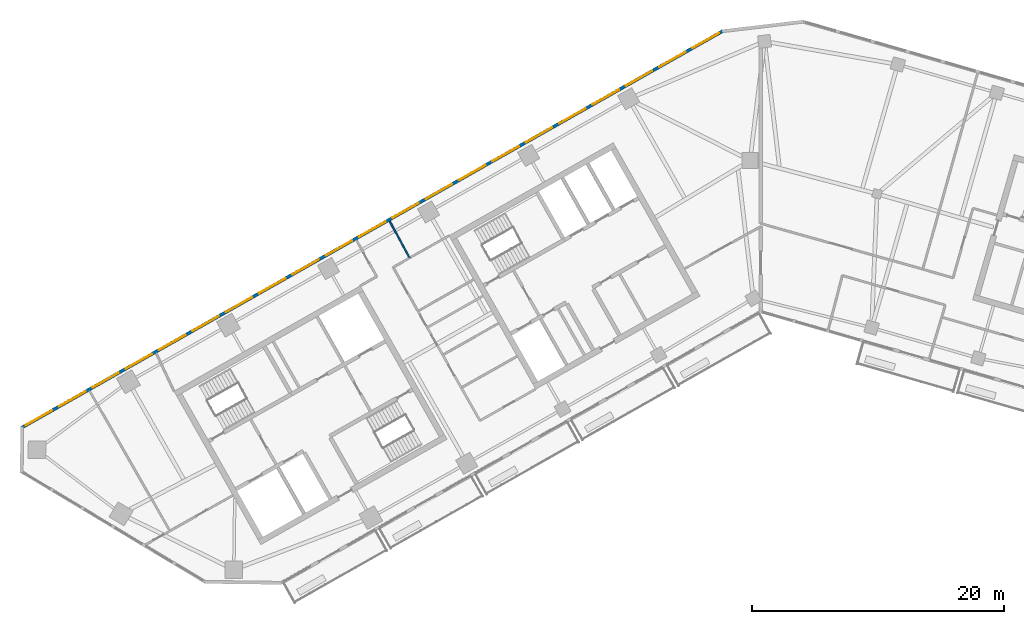
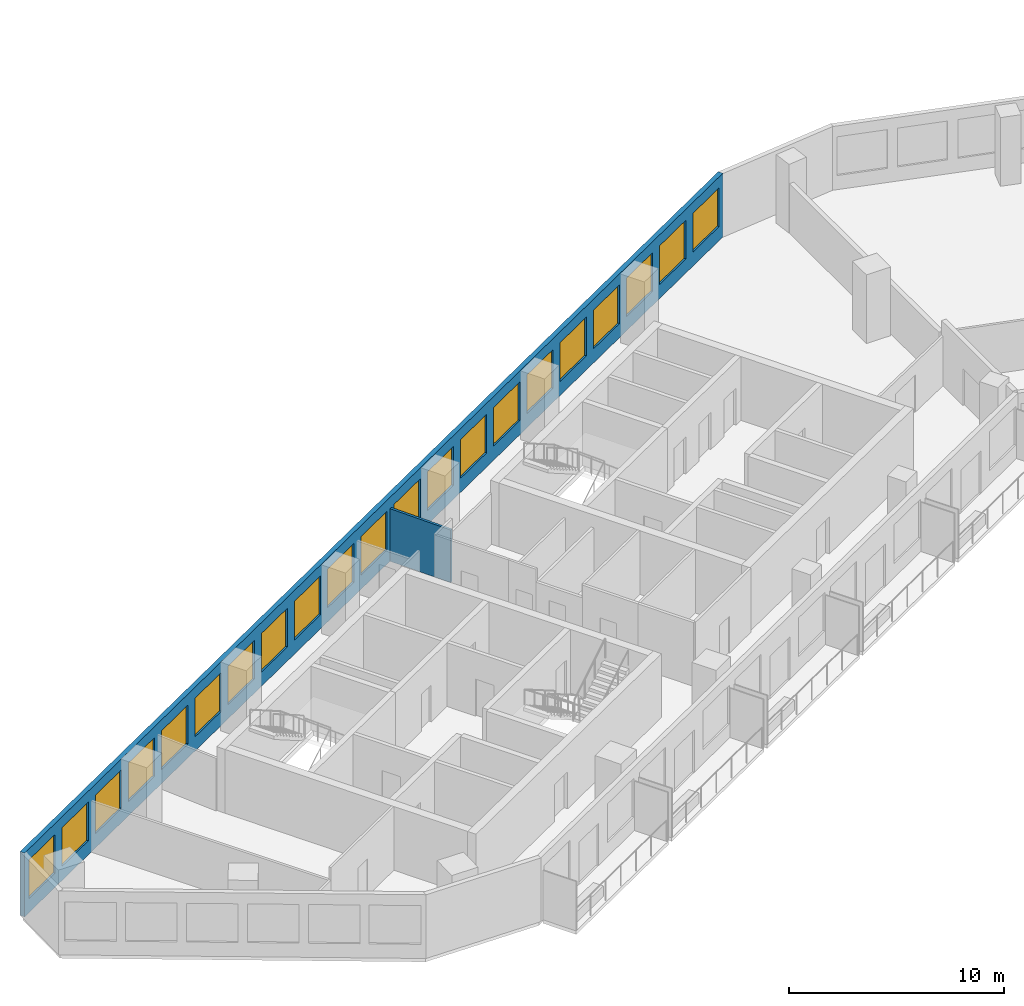
# One storey, part 4 of 11: 21 windows, 2 walls, 21 openings.
"""IFC4 building model written with IfcOpenShell, lengths in metres."""

from ifc_helpers import new_model, si_unit, direction, frame, frame_2d, origin, place, context, subcontext, project, spatial, rectangle, extrude, material, layer, layer_set, type_object, element, fill, save


model = new_model("IFC4")

# Units and contexts
model_context = context("Model", 3, precision=1e-05, world=origin(), true_north=direction((0.0, 1.0)))
body_context = subcontext(model_context, "Body", "Model", "MODEL_VIEW")
ifc_project = project(units=[si_unit("LENGTHUNIT", "METRE"), si_unit("AREAUNIT", "SQUARE_METRE"), si_unit("VOLUMEUNIT", "CUBIC_METRE"), si_unit("PLANEANGLEUNIT", "RADIAN"), si_unit("MASSUNIT", "GRAM", prefix="KILO")], contexts=[model_context])

# Site, building, storey
site_placement = place(None, origin())
site = spatial("IfcSite", under=ifc_project, at=site_placement, CompositionType="ELEMENT")
building_placement = place(site_placement, origin())
building = spatial("IfcBuilding", under=site, at=building_placement, Name="Binnacle Exchange Tower", CompositionType="ELEMENT")
storey_placement = place(building_placement, frame((0.0, 0.0, 219.199951171875)))
storey = spatial("IfcBuildingStorey", under=building, at=storey_placement, Name="L48", CompositionType="ELEMENT", Elevation=219.199951171875)

# Wall, openings, windows
ifc_material_1 = material(Name="Bronze aluminium cladding", Category="aluminium")
ifc_layer_1 = layer(ifc_material_1, 0.25)
ifc_layer_set_1 = layer_set([ifc_layer_1], Name="External wall - window wall 250")
wall_type_1 = type_object("IfcWallType", Name="External wall - window wall 250", PredefinedType="STANDARD", material=ifc_layer_set_1)
wall_1_placement = place(storey_placement, frame((-58.732177734375, 38.770751953125, 0.0), z_axis=(0.0, 0.0, 1.0), x_axis=(0.870354824205, 0.492425100887, 0.0)))
wall_1 = element("IfcWall", 1, at=wall_1_placement, inside=storey, type_object=wall_type_1, Name="External wall EW-G08 L48", PredefinedType="STANDARD", context=body_context, shape_type="SweptSolid", body=[
    extrude(rectangle(XDim=64.005859375, YDim=0.25, at=frame_2d((32.0029296875, 0.0))), origin(), (0.0, 0.0, 1.0), 3.6201171875),
])
opening_1_placement = place(wall_1_placement, frame((61.25927734375, 0.0, 0.800048828125)))
opening_1 = element("IfcOpeningElement", 2, at=opening_1_placement, cuts=wall_1, Name="Opening WR1", PredefinedType="OPENING", context=body_context, shape_type="SweptSolid", body=[
    extrude(rectangle(XDim=2.39990234375, YDim=2.199951171875, at=frame_2d((1.199951171875, 1.10009765625))), frame((0.0, 0.135009765625, 0.0), z_axis=(0.0, -1.0, 0.0), x_axis=(1.0, 0.0, 0.0)), (0.0, 0.0, 1.0), 0.27001953125),
])
opening_2_placement = place(wall_1_placement, frame((58.2158203125, 0.0, 0.800048828125)))
opening_2 = element("IfcOpeningElement", 3, at=opening_2_placement, cuts=wall_1, Name="Opening WR1", PredefinedType="OPENING", context=body_context, shape_type="SweptSolid", body=[
    extrude(rectangle(XDim=2.39990234375, YDim=2.199951171875, at=frame_2d((1.199951171875, 1.10009765625))), frame((0.0, 0.135009765625, 0.0), z_axis=(0.0, -1.0, 0.0), x_axis=(1.0, 0.0, 0.0)), (0.0, 0.0, 1.0), 0.27001953125),
])
opening_3_placement = place(wall_1_placement, frame((55.172607421875, 0.0, 0.800048828125)))
opening_3 = element("IfcOpeningElement", 4, at=opening_3_placement, cuts=wall_1, Name="Opening WR1", PredefinedType="OPENING", context=body_context, shape_type="SweptSolid", body=[
    extrude(rectangle(XDim=2.39990234375, YDim=2.199951171875, at=frame_2d((1.199951171875, 1.10009765625))), frame((0.0, 0.135009765625, 0.0), z_axis=(0.0, -1.0, 0.0), x_axis=(1.0, 0.0, 0.0)), (0.0, 0.0, 1.0), 0.27001953125),
])
opening_4_placement = place(wall_1_placement, frame((52.12939453125, 0.0, 0.800048828125)))
opening_4 = element("IfcOpeningElement", 5, at=opening_4_placement, cuts=wall_1, Name="Opening WR1", PredefinedType="OPENING", context=body_context, shape_type="SweptSolid", body=[
    extrude(rectangle(XDim=2.39990234375, YDim=2.199951171875, at=frame_2d((1.199951171875, 1.10009765625))), frame((0.0, 0.135009765625, 0.0), z_axis=(0.0, -1.0, 0.0), x_axis=(1.0, 0.0, 0.0)), (0.0, 0.0, 1.0), 0.27001953125),
])
opening_5_placement = place(wall_1_placement, frame((49.0859375, 0.0, 0.800048828125)))
opening_5 = element("IfcOpeningElement", 6, at=opening_5_placement, cuts=wall_1, Name="Opening WR1", PredefinedType="OPENING", context=body_context, shape_type="SweptSolid", body=[
    extrude(rectangle(XDim=2.39990234375, YDim=2.199951171875, at=frame_2d((1.199951171875, 1.10009765625))), frame((0.0, 0.135009765625, 0.0), z_axis=(0.0, -1.0, 0.0), x_axis=(1.0, 0.0, 0.0)), (0.0, 0.0, 1.0), 0.27001953125),
])
opening_6_placement = place(wall_1_placement, frame((46.042724609375, 0.0, 0.800048828125)))
opening_6 = element("IfcOpeningElement", 7, at=opening_6_placement, cuts=wall_1, Name="Opening WR1", PredefinedType="OPENING", context=body_context, shape_type="SweptSolid", body=[
    extrude(rectangle(XDim=2.39990234375, YDim=2.199951171875, at=frame_2d((1.199951171875, 1.10009765625))), frame((0.0, 0.135009765625, 0.0), z_axis=(0.0, -1.0, 0.0), x_axis=(1.0, 0.0, 0.0)), (0.0, 0.0, 1.0), 0.27001953125),
])
opening_7_placement = place(wall_1_placement, frame((42.99951171875, 0.0, 0.800048828125)))
opening_7 = element("IfcOpeningElement", 8, at=opening_7_placement, cuts=wall_1, Name="Opening WR1", PredefinedType="OPENING", context=body_context, shape_type="SweptSolid", body=[
    extrude(rectangle(XDim=2.39990234375, YDim=2.199951171875, at=frame_2d((1.199951171875, 1.10009765625))), frame((0.0, 0.135009765625, 0.0), z_axis=(0.0, -1.0, 0.0), x_axis=(1.0, 0.0, 0.0)), (0.0, 0.0, 1.0), 0.27001953125),
])
opening_8_placement = place(wall_1_placement, frame((39.956298828125, 0.0, 0.800048828125)))
opening_8 = element("IfcOpeningElement", 9, at=opening_8_placement, cuts=wall_1, Name="Opening WR1", PredefinedType="OPENING", context=body_context, shape_type="SweptSolid", body=[
    extrude(rectangle(XDim=2.39990234375, YDim=2.199951171875, at=frame_2d((1.199951171875, 1.10009765625))), frame((0.0, 0.135009765625, 0.0), z_axis=(0.0, -1.0, 0.0), x_axis=(1.0, 0.0, 0.0)), (0.0, 0.0, 1.0), 0.27001953125),
])
opening_9_placement = place(wall_1_placement, frame((36.912841796875, 0.0, 0.800048828125)))
opening_9 = element("IfcOpeningElement", 10, at=opening_9_placement, cuts=wall_1, Name="Opening WR1", PredefinedType="OPENING", context=body_context, shape_type="SweptSolid", body=[
    extrude(rectangle(XDim=2.39990234375, YDim=2.199951171875, at=frame_2d((1.199951171875, 1.10009765625))), frame((0.0, 0.135009765625, 0.0), z_axis=(0.0, -1.0, 0.0), x_axis=(1.0, 0.0, 0.0)), (0.0, 0.0, 1.0), 0.27001953125),
])
opening_10_placement = place(wall_1_placement, frame((33.86962890625, 0.0, 0.800048828125)))
opening_10 = element("IfcOpeningElement", 11, at=opening_10_placement, cuts=wall_1, Name="Opening WR1", PredefinedType="OPENING", context=body_context, shape_type="SweptSolid", body=[
    extrude(rectangle(XDim=2.39990234375, YDim=2.199951171875, at=frame_2d((1.199951171875, 1.10009765625))), frame((0.0, 0.135009765625, 0.0), z_axis=(0.0, -1.0, 0.0), x_axis=(1.0, 0.0, 0.0)), (0.0, 0.0, 1.0), 0.27001953125),
])
opening_11_placement = place(wall_1_placement, frame((30.826416015625, 0.0, 0.800048828125)))
opening_11 = element("IfcOpeningElement", 12, at=opening_11_placement, cuts=wall_1, Name="Opening WR1", PredefinedType="OPENING", context=body_context, shape_type="SweptSolid", body=[
    extrude(rectangle(XDim=2.39990234375, YDim=2.199951171875, at=frame_2d((1.199951171875, 1.10009765625))), frame((0.0, 0.135009765625, 0.0), z_axis=(0.0, -1.0, 0.0), x_axis=(1.0, 0.0, 0.0)), (0.0, 0.0, 1.0), 0.27001953125),
])
opening_12_placement = place(wall_1_placement, frame((27.782958984375, 0.0, 0.800048828125)))
opening_12 = element("IfcOpeningElement", 13, at=opening_12_placement, cuts=wall_1, Name="Opening WR1", PredefinedType="OPENING", context=body_context, shape_type="SweptSolid", body=[
    extrude(rectangle(XDim=2.39990234375, YDim=2.199951171875, at=frame_2d((1.199951171875, 1.10009765625))), frame((0.0, 0.135009765625, 0.0), z_axis=(0.0, -1.0, 0.0), x_axis=(1.0, 0.0, 0.0)), (0.0, 0.0, 1.0), 0.27001953125),
])
opening_13_placement = place(wall_1_placement, frame((24.73974609375, 0.0, 0.800048828125)))
opening_13 = element("IfcOpeningElement", 14, at=opening_13_placement, cuts=wall_1, Name="Opening WR1", PredefinedType="OPENING", context=body_context, shape_type="SweptSolid", body=[
    extrude(rectangle(XDim=2.39990234375, YDim=2.199951171875, at=frame_2d((1.199951171875, 1.10009765625))), frame((0.0, 0.135009765625, 0.0), z_axis=(0.0, -1.0, 0.0), x_axis=(1.0, 0.0, 0.0)), (0.0, 0.0, 1.0), 0.27001953125),
])
opening_14_placement = place(wall_1_placement, frame((21.6962890625, 0.0, 0.800048828125)))
opening_14 = element("IfcOpeningElement", 15, at=opening_14_placement, cuts=wall_1, Name="Opening WR1", PredefinedType="OPENING", context=body_context, shape_type="SweptSolid", body=[
    extrude(rectangle(XDim=2.39990234375, YDim=2.199951171875, at=frame_2d((1.199951171875, 1.10009765625))), frame((0.0, 0.135009765625, 0.0), z_axis=(0.0, -1.0, 0.0), x_axis=(1.0, 0.0, 0.0)), (0.0, 0.0, 1.0), 0.27001953125),
])
opening_15_placement = place(wall_1_placement, frame((18.6533203125, 0.0, 0.800048828125)))
opening_15 = element("IfcOpeningElement", 16, at=opening_15_placement, cuts=wall_1, Name="Opening WR1", PredefinedType="OPENING", context=body_context, shape_type="SweptSolid", body=[
    extrude(rectangle(XDim=2.39990234375, YDim=2.199951171875, at=frame_2d((1.199951171875, 1.10009765625))), frame((0.0, 0.135009765625, 0.0), z_axis=(0.0, -1.0, 0.0), x_axis=(1.0, 0.0, 0.0)), (0.0, 0.0, 1.0), 0.27001953125),
])
opening_16_placement = place(wall_1_placement, frame((15.60986328125, 0.0, 0.800048828125)))
opening_16 = element("IfcOpeningElement", 17, at=opening_16_placement, cuts=wall_1, Name="Opening WR1", PredefinedType="OPENING", context=body_context, shape_type="SweptSolid", body=[
    extrude(rectangle(XDim=2.39990234375, YDim=2.199951171875, at=frame_2d((1.199951171875, 1.10009765625))), frame((0.0, 0.135009765625, 0.0), z_axis=(0.0, -1.0, 0.0), x_axis=(1.0, 0.0, 0.0)), (0.0, 0.0, 1.0), 0.27001953125),
])
opening_17_placement = place(wall_1_placement, frame((12.566650390625, 0.0, 0.800048828125)))
opening_17 = element("IfcOpeningElement", 18, at=opening_17_placement, cuts=wall_1, Name="Opening WR1", PredefinedType="OPENING", context=body_context, shape_type="SweptSolid", body=[
    extrude(rectangle(XDim=2.39990234375, YDim=2.199951171875, at=frame_2d((1.199951171875, 1.10009765625))), frame((0.0, 0.135009765625, 0.0), z_axis=(0.0, -1.0, 0.0), x_axis=(1.0, 0.0, 0.0)), (0.0, 0.0, 1.0), 0.27001953125),
])
opening_18_placement = place(wall_1_placement, frame((9.523193359375, 0.0, 0.800048828125)))
opening_18 = element("IfcOpeningElement", 19, at=opening_18_placement, cuts=wall_1, Name="Opening WR1", PredefinedType="OPENING", context=body_context, shape_type="SweptSolid", body=[
    extrude(rectangle(XDim=2.39990234375, YDim=2.199951171875, at=frame_2d((1.199951171875, 1.10009765625))), frame((0.0, 0.135009765625, 0.0), z_axis=(0.0, -1.0, 0.0), x_axis=(1.0, 0.0, 0.0)), (0.0, 0.0, 1.0), 0.27001953125),
])
opening_19_placement = place(wall_1_placement, frame((6.47998046875, 0.0, 0.800048828125)))
opening_19 = element("IfcOpeningElement", 20, at=opening_19_placement, cuts=wall_1, Name="Opening WR1", PredefinedType="OPENING", context=body_context, shape_type="SweptSolid", body=[
    extrude(rectangle(XDim=2.39990234375, YDim=2.199951171875, at=frame_2d((1.199951171875, 1.10009765625))), frame((0.0, 0.135009765625, 0.0), z_axis=(0.0, -1.0, 0.0), x_axis=(1.0, 0.0, 0.0)), (0.0, 0.0, 1.0), 0.27001953125),
])
opening_20_placement = place(wall_1_placement, frame((3.436767578125, 0.0, 0.800048828125)))
opening_20 = element("IfcOpeningElement", 21, at=opening_20_placement, cuts=wall_1, Name="Opening WR1", PredefinedType="OPENING", context=body_context, shape_type="SweptSolid", body=[
    extrude(rectangle(XDim=2.39990234375, YDim=2.199951171875, at=frame_2d((1.199951171875, 1.10009765625))), frame((0.0, 0.135009765625, 0.0), z_axis=(0.0, -1.0, 0.0), x_axis=(1.0, 0.0, 0.0)), (0.0, 0.0, 1.0), 0.27001953125),
])
opening_21_placement = place(wall_1_placement, frame((0.393310546875, 0.0, 0.800048828125)))
opening_21 = element("IfcOpeningElement", 22, at=opening_21_placement, cuts=wall_1, Name="Opening WR1", PredefinedType="OPENING", context=body_context, shape_type="SweptSolid", body=[
    extrude(rectangle(XDim=2.39990234375, YDim=2.199951171875, at=frame_2d((1.199951171875, 1.10009765625))), frame((0.0, 0.135009765625, 0.0), z_axis=(0.0, -1.0, 0.0), x_axis=(1.0, 0.0, 0.0)), (0.0, 0.0, 1.0), 0.27001953125),
])
ifc_material_2 = material(Name="Bronze anodised aluminium frame", Category="aluminium")
window_type = type_object("IfcWindowType", Name="WR1 WINDOW 2400x2200", PartitioningType="SINGLE_PANEL", PredefinedType="WINDOW", material=ifc_material_2)
window_1_placement = place(opening_1_placement, origin())
window_1 = element("IfcWindow", 23, at=window_1_placement, inside=storey, type_object=window_type, Name="Window WR1 L48", OverallHeight=2.199951171875, OverallWidth=2.39990234375, PartitioningType="SINGLE_PANEL", PredefinedType="WINDOW", context=body_context, shape_type="SweptSolid", body=[
    extrude(rectangle(XDim=2.39990234375, YDim=2.199951171875, at=frame_2d((1.199951171875, 1.10009765625))), frame((0.0, 0.030029296875, 0.0), z_axis=(0.0, -1.0, 0.0), x_axis=(1.0, 0.0, 0.0)), (0.0, 0.0, 1.0), 0.06005859375),
])
fill(opening_1, window_1)
window_2_placement = place(opening_2_placement, origin())
window_2 = element("IfcWindow", 24, at=window_2_placement, inside=storey, type_object=window_type, Name="Window WR1 L48", OverallHeight=2.199951171875, OverallWidth=2.39990234375, PartitioningType="SINGLE_PANEL", PredefinedType="WINDOW", context=body_context, shape_type="SweptSolid", body=[
    extrude(rectangle(XDim=2.39990234375, YDim=2.199951171875, at=frame_2d((1.199951171875, 1.10009765625))), frame((0.0, 0.030029296875, 0.0), z_axis=(0.0, -1.0, 0.0), x_axis=(1.0, 0.0, 0.0)), (0.0, 0.0, 1.0), 0.06005859375),
])
fill(opening_2, window_2)
window_3_placement = place(opening_3_placement, origin())
window_3 = element("IfcWindow", 25, at=window_3_placement, inside=storey, type_object=window_type, Name="Window WR1 L48", OverallHeight=2.199951171875, OverallWidth=2.39990234375, PartitioningType="SINGLE_PANEL", PredefinedType="WINDOW", context=body_context, shape_type="SweptSolid", body=[
    extrude(rectangle(XDim=2.39990234375, YDim=2.199951171875, at=frame_2d((1.199951171875, 1.10009765625))), frame((0.0, 0.030029296875, 0.0), z_axis=(0.0, -1.0, 0.0), x_axis=(1.0, 0.0, 0.0)), (0.0, 0.0, 1.0), 0.06005859375),
])
fill(opening_3, window_3)
window_4_placement = place(opening_4_placement, origin())
window_4 = element("IfcWindow", 26, at=window_4_placement, inside=storey, type_object=window_type, Name="Window WR1 L48", OverallHeight=2.199951171875, OverallWidth=2.39990234375, PartitioningType="SINGLE_PANEL", PredefinedType="WINDOW", context=body_context, shape_type="SweptSolid", body=[
    extrude(rectangle(XDim=2.39990234375, YDim=2.199951171875, at=frame_2d((1.199951171875, 1.10009765625))), frame((0.0, 0.030029296875, 0.0), z_axis=(0.0, -1.0, 0.0), x_axis=(1.0, 0.0, 0.0)), (0.0, 0.0, 1.0), 0.06005859375),
])
fill(opening_4, window_4)
window_5_placement = place(opening_5_placement, origin())
window_5 = element("IfcWindow", 27, at=window_5_placement, inside=storey, type_object=window_type, Name="Window WR1 L48", OverallHeight=2.199951171875, OverallWidth=2.39990234375, PartitioningType="SINGLE_PANEL", PredefinedType="WINDOW", context=body_context, shape_type="SweptSolid", body=[
    extrude(rectangle(XDim=2.39990234375, YDim=2.199951171875, at=frame_2d((1.199951171875, 1.10009765625))), frame((0.0, 0.030029296875, 0.0), z_axis=(0.0, -1.0, 0.0), x_axis=(1.0, 0.0, 0.0)), (0.0, 0.0, 1.0), 0.06005859375),
])
fill(opening_5, window_5)
window_6_placement = place(opening_6_placement, origin())
window_6 = element("IfcWindow", 28, at=window_6_placement, inside=storey, type_object=window_type, Name="Window WR1 L48", OverallHeight=2.199951171875, OverallWidth=2.39990234375, PartitioningType="SINGLE_PANEL", PredefinedType="WINDOW", context=body_context, shape_type="SweptSolid", body=[
    extrude(rectangle(XDim=2.39990234375, YDim=2.199951171875, at=frame_2d((1.199951171875, 1.10009765625))), frame((0.0, 0.030029296875, 0.0), z_axis=(0.0, -1.0, 0.0), x_axis=(1.0, 0.0, 0.0)), (0.0, 0.0, 1.0), 0.06005859375),
])
fill(opening_6, window_6)
window_7_placement = place(opening_7_placement, origin())
window_7 = element("IfcWindow", 29, at=window_7_placement, inside=storey, type_object=window_type, Name="Window WR1 L48", OverallHeight=2.199951171875, OverallWidth=2.39990234375, PartitioningType="SINGLE_PANEL", PredefinedType="WINDOW", context=body_context, shape_type="SweptSolid", body=[
    extrude(rectangle(XDim=2.39990234375, YDim=2.199951171875, at=frame_2d((1.199951171875, 1.10009765625))), frame((0.0, 0.030029296875, 0.0), z_axis=(0.0, -1.0, 0.0), x_axis=(1.0, 0.0, 0.0)), (0.0, 0.0, 1.0), 0.06005859375),
])
fill(opening_7, window_7)
window_8_placement = place(opening_8_placement, origin())
window_8 = element("IfcWindow", 30, at=window_8_placement, inside=storey, type_object=window_type, Name="Window WR1 L48", OverallHeight=2.199951171875, OverallWidth=2.39990234375, PartitioningType="SINGLE_PANEL", PredefinedType="WINDOW", context=body_context, shape_type="SweptSolid", body=[
    extrude(rectangle(XDim=2.39990234375, YDim=2.199951171875, at=frame_2d((1.199951171875, 1.10009765625))), frame((0.0, 0.030029296875, 0.0), z_axis=(0.0, -1.0, 0.0), x_axis=(1.0, 0.0, 0.0)), (0.0, 0.0, 1.0), 0.06005859375),
])
fill(opening_8, window_8)
window_9_placement = place(opening_9_placement, origin())
window_9 = element("IfcWindow", 31, at=window_9_placement, inside=storey, type_object=window_type, Name="Window WR1 L48", OverallHeight=2.199951171875, OverallWidth=2.39990234375, PartitioningType="SINGLE_PANEL", PredefinedType="WINDOW", context=body_context, shape_type="SweptSolid", body=[
    extrude(rectangle(XDim=2.39990234375, YDim=2.199951171875, at=frame_2d((1.199951171875, 1.10009765625))), frame((0.0, 0.030029296875, 0.0), z_axis=(0.0, -1.0, 0.0), x_axis=(1.0, 0.0, 0.0)), (0.0, 0.0, 1.0), 0.06005859375),
])
fill(opening_9, window_9)
window_10_placement = place(opening_10_placement, origin())
window_10 = element("IfcWindow", 32, at=window_10_placement, inside=storey, type_object=window_type, Name="Window WR1 L48", OverallHeight=2.199951171875, OverallWidth=2.39990234375, PartitioningType="SINGLE_PANEL", PredefinedType="WINDOW", context=body_context, shape_type="SweptSolid", body=[
    extrude(rectangle(XDim=2.39990234375, YDim=2.199951171875, at=frame_2d((1.199951171875, 1.10009765625))), frame((0.0, 0.030029296875, 0.0), z_axis=(0.0, -1.0, 0.0), x_axis=(1.0, 0.0, 0.0)), (0.0, 0.0, 1.0), 0.06005859375),
])
fill(opening_10, window_10)
window_11_placement = place(opening_11_placement, origin())
window_11 = element("IfcWindow", 33, at=window_11_placement, inside=storey, type_object=window_type, Name="Window WR1 L48", OverallHeight=2.199951171875, OverallWidth=2.39990234375, PartitioningType="SINGLE_PANEL", PredefinedType="WINDOW", context=body_context, shape_type="SweptSolid", body=[
    extrude(rectangle(XDim=2.39990234375, YDim=2.199951171875, at=frame_2d((1.199951171875, 1.10009765625))), frame((0.0, 0.030029296875, 0.0), z_axis=(0.0, -1.0, 0.0), x_axis=(1.0, 0.0, 0.0)), (0.0, 0.0, 1.0), 0.06005859375),
])
fill(opening_11, window_11)
window_12_placement = place(opening_12_placement, origin())
window_12 = element("IfcWindow", 34, at=window_12_placement, inside=storey, type_object=window_type, Name="Window WR1 L48", OverallHeight=2.199951171875, OverallWidth=2.39990234375, PartitioningType="SINGLE_PANEL", PredefinedType="WINDOW", context=body_context, shape_type="SweptSolid", body=[
    extrude(rectangle(XDim=2.39990234375, YDim=2.199951171875, at=frame_2d((1.199951171875, 1.10009765625))), frame((0.0, 0.030029296875, 0.0), z_axis=(0.0, -1.0, 0.0), x_axis=(1.0, 0.0, 0.0)), (0.0, 0.0, 1.0), 0.06005859375),
])
fill(opening_12, window_12)
window_13_placement = place(opening_13_placement, origin())
window_13 = element("IfcWindow", 35, at=window_13_placement, inside=storey, type_object=window_type, Name="Window WR1 L48", OverallHeight=2.199951171875, OverallWidth=2.39990234375, PartitioningType="SINGLE_PANEL", PredefinedType="WINDOW", context=body_context, shape_type="SweptSolid", body=[
    extrude(rectangle(XDim=2.39990234375, YDim=2.199951171875, at=frame_2d((1.199951171875, 1.10009765625))), frame((0.0, 0.030029296875, 0.0), z_axis=(0.0, -1.0, 0.0), x_axis=(1.0, 0.0, 0.0)), (0.0, 0.0, 1.0), 0.06005859375),
])
fill(opening_13, window_13)
window_14_placement = place(opening_14_placement, origin())
window_14 = element("IfcWindow", 36, at=window_14_placement, inside=storey, type_object=window_type, Name="Window WR1 L48", OverallHeight=2.199951171875, OverallWidth=2.39990234375, PartitioningType="SINGLE_PANEL", PredefinedType="WINDOW", context=body_context, shape_type="SweptSolid", body=[
    extrude(rectangle(XDim=2.39990234375, YDim=2.199951171875, at=frame_2d((1.199951171875, 1.10009765625))), frame((0.0, 0.030029296875, 0.0), z_axis=(0.0, -1.0, 0.0), x_axis=(1.0, 0.0, 0.0)), (0.0, 0.0, 1.0), 0.06005859375),
])
fill(opening_14, window_14)
window_15_placement = place(opening_15_placement, origin())
window_15 = element("IfcWindow", 37, at=window_15_placement, inside=storey, type_object=window_type, Name="Window WR1 L48", OverallHeight=2.199951171875, OverallWidth=2.39990234375, PartitioningType="SINGLE_PANEL", PredefinedType="WINDOW", context=body_context, shape_type="SweptSolid", body=[
    extrude(rectangle(XDim=2.39990234375, YDim=2.199951171875, at=frame_2d((1.199951171875, 1.10009765625))), frame((0.0, 0.030029296875, 0.0), z_axis=(0.0, -1.0, 0.0), x_axis=(1.0, 0.0, 0.0)), (0.0, 0.0, 1.0), 0.06005859375),
])
fill(opening_15, window_15)
window_16_placement = place(opening_16_placement, origin())
window_16 = element("IfcWindow", 38, at=window_16_placement, inside=storey, type_object=window_type, Name="Window WR1 L48", OverallHeight=2.199951171875, OverallWidth=2.39990234375, PartitioningType="SINGLE_PANEL", PredefinedType="WINDOW", context=body_context, shape_type="SweptSolid", body=[
    extrude(rectangle(XDim=2.39990234375, YDim=2.199951171875, at=frame_2d((1.199951171875, 1.10009765625))), frame((0.0, 0.030029296875, 0.0), z_axis=(0.0, -1.0, 0.0), x_axis=(1.0, 0.0, 0.0)), (0.0, 0.0, 1.0), 0.06005859375),
])
fill(opening_16, window_16)
window_17_placement = place(opening_17_placement, origin())
window_17 = element("IfcWindow", 39, at=window_17_placement, inside=storey, type_object=window_type, Name="Window WR1 L48", OverallHeight=2.199951171875, OverallWidth=2.39990234375, PartitioningType="SINGLE_PANEL", PredefinedType="WINDOW", context=body_context, shape_type="SweptSolid", body=[
    extrude(rectangle(XDim=2.39990234375, YDim=2.199951171875, at=frame_2d((1.199951171875, 1.10009765625))), frame((0.0, 0.030029296875, 0.0), z_axis=(0.0, -1.0, 0.0), x_axis=(1.0, 0.0, 0.0)), (0.0, 0.0, 1.0), 0.06005859375),
])
fill(opening_17, window_17)
window_18_placement = place(opening_18_placement, origin())
window_18 = element("IfcWindow", 40, at=window_18_placement, inside=storey, type_object=window_type, Name="Window WR1 L48", OverallHeight=2.199951171875, OverallWidth=2.39990234375, PartitioningType="SINGLE_PANEL", PredefinedType="WINDOW", context=body_context, shape_type="SweptSolid", body=[
    extrude(rectangle(XDim=2.39990234375, YDim=2.199951171875, at=frame_2d((1.199951171875, 1.10009765625))), frame((0.0, 0.030029296875, 0.0), z_axis=(0.0, -1.0, 0.0), x_axis=(1.0, 0.0, 0.0)), (0.0, 0.0, 1.0), 0.06005859375),
])
fill(opening_18, window_18)
window_19_placement = place(opening_19_placement, origin())
window_19 = element("IfcWindow", 41, at=window_19_placement, inside=storey, type_object=window_type, Name="Window WR1 L48", OverallHeight=2.199951171875, OverallWidth=2.39990234375, PartitioningType="SINGLE_PANEL", PredefinedType="WINDOW", context=body_context, shape_type="SweptSolid", body=[
    extrude(rectangle(XDim=2.39990234375, YDim=2.199951171875, at=frame_2d((1.199951171875, 1.10009765625))), frame((0.0, 0.030029296875, 0.0), z_axis=(0.0, -1.0, 0.0), x_axis=(1.0, 0.0, 0.0)), (0.0, 0.0, 1.0), 0.06005859375),
])
fill(opening_19, window_19)
window_20_placement = place(opening_20_placement, origin())
window_20 = element("IfcWindow", 42, at=window_20_placement, inside=storey, type_object=window_type, Name="Window WR1 L48", OverallHeight=2.199951171875, OverallWidth=2.39990234375, PartitioningType="SINGLE_PANEL", PredefinedType="WINDOW", context=body_context, shape_type="SweptSolid", body=[
    extrude(rectangle(XDim=2.39990234375, YDim=2.199951171875, at=frame_2d((1.199951171875, 1.10009765625))), frame((0.0, 0.030029296875, 0.0), z_axis=(0.0, -1.0, 0.0), x_axis=(1.0, 0.0, 0.0)), (0.0, 0.0, 1.0), 0.06005859375),
])
fill(opening_20, window_20)
window_21_placement = place(opening_21_placement, origin())
window_21 = element("IfcWindow", 43, at=window_21_placement, inside=storey, type_object=window_type, Name="Window WR1 L48", OverallHeight=2.199951171875, OverallWidth=2.39990234375, PartitioningType="SINGLE_PANEL", PredefinedType="WINDOW", context=body_context, shape_type="SweptSolid", body=[
    extrude(rectangle(XDim=2.39990234375, YDim=2.199951171875, at=frame_2d((1.199951171875, 1.10009765625))), frame((0.0, 0.030029296875, 0.0), z_axis=(0.0, -1.0, 0.0), x_axis=(1.0, 0.0, 0.0)), (0.0, 0.0, 1.0), 0.06005859375),
])
fill(opening_21, window_21)

# Wall
ifc_material_3 = material(Name="Gypsum partition")
ifc_layer_2 = layer(ifc_material_3, 0.125)
ifc_layer_set_2 = layer_set([ifc_layer_2], Name="Partition 125")
wall_type_2 = type_object("IfcWallType", Name="Partition 125", PredefinedType="PARTITIONING", material=ifc_layer_set_2)
wall_2_placement = place(storey_placement, frame((-29.47412109375, 55.180908203125, 0.0), z_axis=(0.0, 0.0, 1.0), x_axis=(0.475344759365, -0.879799613403, 0.0)))
element("IfcWall", 44, at=wall_2_placement, inside=storey, type_object=wall_type_2, Name="Partition W07", PredefinedType="PARTITIONING", context=body_context, shape_type="SweptSolid", body=[
    extrude(rectangle(XDim=3.320068359375, YDim=0.125, at=frame_2d((1.66015625, 0.0))), origin(), (0.0, 0.0, 1.0), 2.988037109375),
])

save(model, "model.ifc")
